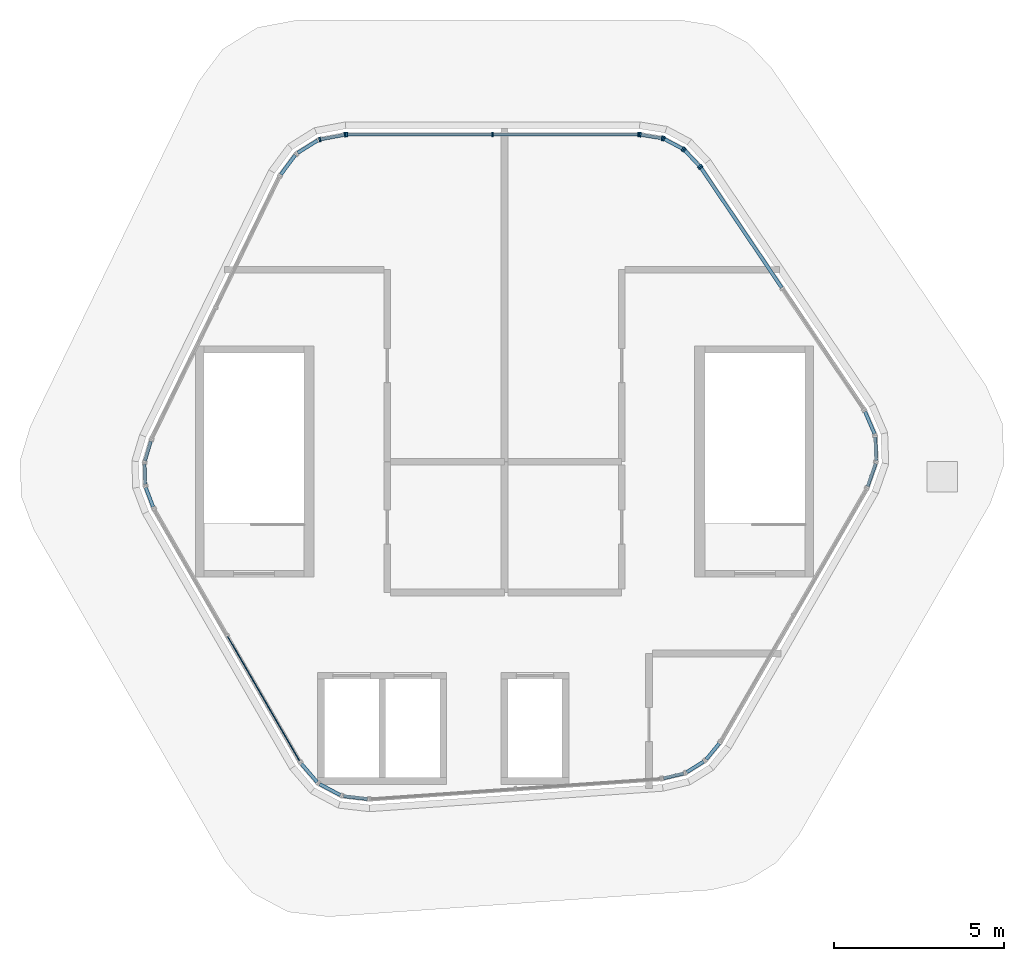
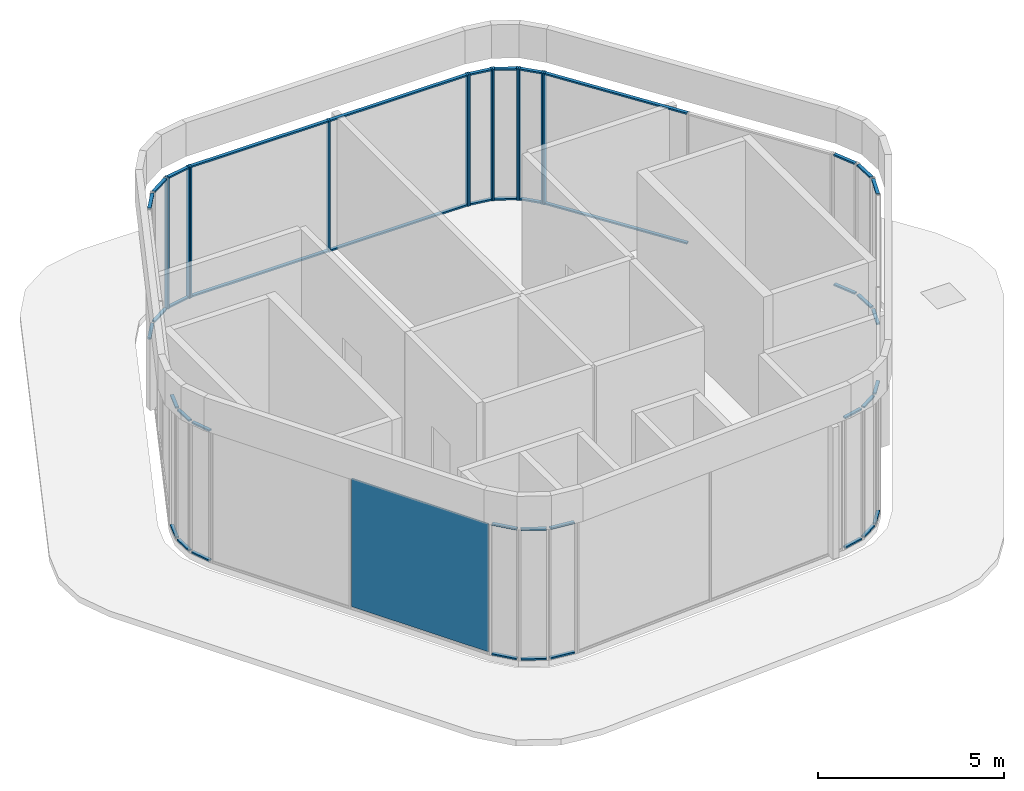
# One storey, part 2 of 6: 54 members, 1 plate, 21 elements without a shape of their own.
"""IFC4 building model written with IfcOpenShell, lengths in metres."""

from ifc_helpers import new_model, si_unit, direction, frame, origin, origin_2d, place, context, subcontext, project, spatial, rectangle, extrude, material, layer, layer_set, material_profile, profile_set, type_object, element, aggregate, save


model = new_model("IFC4")

# Units and contexts
model_context = context("Model", 3, precision=1e-05, world=origin(), true_north=direction((0.0, 1.0)))
body_context = subcontext(model_context, "Body", "Model", "MODEL_VIEW")
ifc_project = project(units=[si_unit("LENGTHUNIT", "METRE"), si_unit("AREAUNIT", "SQUARE_METRE"), si_unit("VOLUMEUNIT", "CUBIC_METRE"), si_unit("PLANEANGLEUNIT", "RADIAN"), si_unit("MASSUNIT", "GRAM", prefix="KILO")], contexts=[model_context])

# Site, building, storey
site_placement = place(None, origin())
site = spatial("IfcSite", under=ifc_project, at=site_placement, CompositionType="ELEMENT")
building_placement = place(site_placement, origin())
building = spatial("IfcBuilding", under=site, at=building_placement, Name="Tarnside Tower", CompositionType="ELEMENT")
storey_placement = place(building_placement, frame((0.0, 0.0, 406.199951171875)))
storey = spatial("IfcBuildingStorey", under=building, at=storey_placement, Name="L96", CompositionType="ELEMENT", Elevation=406.199951171875)

# Curtain wall, members
ifc_material_1 = material(Name="Crown glazing wall", Category="glass")
curtain_wall_type = type_object("IfcCurtainWallType", Name="Crown glazing wall", PredefinedType="NOTDEFINED", material=ifc_material_1)
curtain_wall_1_placement = place(storey_placement, origin())
curtain_wall_1 = element("IfcCurtainWall", 1, at=curtain_wall_1_placement, inside=storey, type_object=curtain_wall_type, Name="Crown glazing L96 00", PredefinedType="NOTDEFINED")
ifc_material_2 = material(Name="Aluminium alloy 6063", Category="aluminium")
ifc_material_profile_1 = material_profile(ifc_material_2, rectangle(XDim=0.139892578125, YDim=0.050048828125, at=origin_2d()), Name="Crown glazing mullion 50 x 140")
ifc_profile_set_1 = profile_set([ifc_material_profile_1], Name="Aluminium alloy 6063")
member_type_1 = type_object("IfcMemberType", Name="Crown glazing mullion 50 x 140", PredefinedType="MULLION", material=ifc_profile_set_1)
member_1_placement = place(storey_placement, frame((-4.640869140625, 9.6298828125, 0.0), z_axis=(0.0, 0.0, 1.0), x_axis=(0.0, 1.0, 0.0)))
member_1 = element("IfcMember", 2, at=member_1_placement, type_object=member_type_1, Name="CW6 mullion 1", PredefinedType="MULLION", context=body_context, shape_type="SweptSolid", body=[
    extrude(rectangle(XDim=0.139892578125, YDim=0.050048828125, at=origin_2d()), origin(), (0.0, 0.0, 1.0), 4.300048828125),
])
member_2_placement = place(storey_placement, frame((-0.34814453125, 9.6298828125, 0.0), z_axis=(0.0, 0.0, 1.0), x_axis=(0.0, 1.0, 0.0)))
member_2 = element("IfcMember", 3, at=member_2_placement, type_object=member_type_1, Name="CW6 mullion 2", PredefinedType="MULLION", context=body_context, shape_type="SweptSolid", body=[
    extrude(rectangle(XDim=0.139892578125, YDim=0.050048828125, at=origin_2d()), origin(), (0.0, 0.0, 1.0), 4.300048828125),
])
member_3_placement = place(storey_placement, frame((3.94482421875, 9.6298828125, 0.0), z_axis=(0.0, 0.0, 1.0), x_axis=(0.0, 1.0, 0.0)))
member_3 = element("IfcMember", 4, at=member_3_placement, type_object=member_type_1, Name="CW6 mullion 3", PredefinedType="MULLION", context=body_context, shape_type="SweptSolid", body=[
    extrude(rectangle(XDim=0.139892578125, YDim=0.050048828125, at=origin_2d()), origin(), (0.0, 0.0, 1.0), 4.300048828125),
])

curtain_wall_2_placement = place(storey_placement, origin())
curtain_wall_2 = element("IfcCurtainWall", 5, at=curtain_wall_2_placement, inside=storey, type_object=curtain_wall_type, Name="Crown glazing L96 01", PredefinedType="NOTDEFINED")
member_4_placement = place(storey_placement, frame((3.99462890625, 9.6259765625, 0.0), z_axis=(0.0, 0.0, 1.0), x_axis=(0.162177922497, 0.986761532213, 0.0)))
member_4 = element("IfcMember", 6, at=member_4_placement, type_object=member_type_1, Name="CW6 mullion 1", PredefinedType="MULLION", context=body_context, shape_type="SweptSolid", body=[
    extrude(rectangle(XDim=0.139892578125, YDim=0.050048828125, at=origin_2d()), origin(), (0.0, 0.0, 1.0), 4.300048828125),
])
member_5_placement = place(storey_placement, frame((4.64404296875, 9.519287109375, 0.0), z_axis=(0.0, 0.0, 1.0), x_axis=(0.162177922497, 0.986761532213, 0.0)))
member_5 = element("IfcMember", 7, at=member_5_placement, type_object=member_type_1, Name="CW6 mullion 2", PredefinedType="MULLION", context=body_context, shape_type="SweptSolid", body=[
    extrude(rectangle(XDim=0.139892578125, YDim=0.050048828125, at=origin_2d()), origin(), (0.0, 0.0, 1.0), 4.300048828125),
])

curtain_wall_3_placement = place(storey_placement, origin())
curtain_wall_3 = element("IfcCurtainWall", 8, at=curtain_wall_3_placement, inside=storey, type_object=curtain_wall_type, Name="Crown glazing L96 02", PredefinedType="NOTDEFINED")
member_6_placement = place(storey_placement, frame((4.690673828125, 9.50341796875, 0.0), z_axis=(0.0, 0.0, 1.0), x_axis=(0.469471563479, 0.88294759249, 0.0)))
member_6 = element("IfcMember", 9, at=member_6_placement, type_object=member_type_1, Name="CW6 mullion 1", PredefinedType="MULLION", context=body_context, shape_type="SweptSolid", body=[
    extrude(rectangle(XDim=0.139892578125, YDim=0.050048828125, at=origin_2d()), origin(), (0.0, 0.0, 1.0), 4.300048828125),
])
member_7_placement = place(storey_placement, frame((5.255615234375, 9.202880859375, 0.0), z_axis=(0.0, 0.0, 1.0), x_axis=(0.469471563479, 0.88294759249, 0.0)))
member_7 = element("IfcMember", 10, at=member_7_placement, type_object=member_type_1, Name="CW6 mullion 2", PredefinedType="MULLION", context=body_context, shape_type="SweptSolid", body=[
    extrude(rectangle(XDim=0.139892578125, YDim=0.050048828125, at=origin_2d()), origin(), (0.0, 0.0, 1.0), 4.300048828125),
])

curtain_wall_4_placement = place(storey_placement, origin())
curtain_wall_4 = element("IfcCurtainWall", 11, at=curtain_wall_4_placement, inside=storey, type_object=curtain_wall_type, Name="Crown glazing L96 03", PredefinedType="NOTDEFINED")
member_8_placement = place(storey_placement, frame((5.294921875, 9.173095703125, 0.0), z_axis=(0.0, 0.0, 1.0), x_axis=(0.727373641182, 0.686241638283, 0.0)))
member_8 = element("IfcMember", 12, at=member_8_placement, type_object=member_type_1, Name="CW6 mullion 1", PredefinedType="MULLION", context=body_context, shape_type="SweptSolid", body=[
    extrude(rectangle(XDim=0.139892578125, YDim=0.050048828125, at=origin_2d()), origin(), (0.0, 0.0, 1.0), 4.300048828125),
])
member_9_placement = place(storey_placement, frame((5.74658203125, 8.6943359375, 0.0), z_axis=(0.0, 0.0, 1.0), x_axis=(0.727373641182, 0.686241638283, 0.0)))
member_9 = element("IfcMember", 13, at=member_9_placement, type_object=member_type_1, Name="CW6 mullion 2", PredefinedType="MULLION", context=body_context, shape_type="SweptSolid", body=[
    extrude(rectangle(XDim=0.139892578125, YDim=0.050048828125, at=origin_2d()), origin(), (0.0, 0.0, 1.0), 4.300048828125),
])

# Curtain wall, member
curtain_wall_5_placement = place(storey_placement, origin())
curtain_wall_5 = element("IfcCurtainWall", 14, at=curtain_wall_5_placement, inside=storey, type_object=curtain_wall_type, Name="Crown glazing L96 04", PredefinedType="NOTDEFINED")
member_10_placement = place(storey_placement, frame((5.777587890625, 8.655517578125, 0.0), z_axis=(0.0, 0.0, 1.0), x_axis=(0.829037572575, 0.559192903442, 0.0)))
member_10 = element("IfcMember", 15, at=member_10_placement, type_object=member_type_1, Name="CW6 mullion 1", PredefinedType="MULLION", context=body_context, shape_type="SweptSolid", body=[
    extrude(rectangle(XDim=0.139892578125, YDim=0.050048828125, at=origin_2d()), origin(), (0.0, 0.0, 1.0), 4.300048828125),
])

# Curtain wall, members
curtain_wall_6_placement = place(storey_placement, origin())
curtain_wall_6 = element("IfcCurtainWall", 16, at=curtain_wall_6_placement, inside=storey, type_object=curtain_wall_type, Name="Crown glazing L96 23", PredefinedType="NOTDEFINED")
member_11_placement = place(storey_placement, frame((-5.435302734375, 9.485107421875, 0.0), z_axis=(0.0, 0.0, 1.0), x_axis=(-0.185094923411, 0.982720646637, 0.0)))
member_11 = element("IfcMember", 17, at=member_11_placement, type_object=member_type_1, Name="CW6 mullion 1", PredefinedType="MULLION", context=body_context, shape_type="SweptSolid", body=[
    extrude(rectangle(XDim=0.139892578125, YDim=0.050048828125, at=origin_2d()), origin(), (0.0, 0.0, 1.0), 4.300048828125),
])
member_12_placement = place(storey_placement, frame((-4.6904296875, 9.62548828125, 0.0), z_axis=(0.0, 0.0, 1.0), x_axis=(-0.185094923411, 0.982720646637, 0.0)))
member_12 = element("IfcMember", 18, at=member_12_placement, type_object=member_type_1, Name="CW6 mullion 2", PredefinedType="MULLION", context=body_context, shape_type="SweptSolid", body=[
    extrude(rectangle(XDim=0.139892578125, YDim=0.050048828125, at=origin_2d()), origin(), (0.0, 0.0, 1.0), 4.300048828125),
])

# Member
ifc_material_profile_2 = material_profile(ifc_material_2, rectangle(XDim=0.10009765625, YDim=0.050048828125, at=origin_2d()), Name="Crown glazing transom 50 x 100")
ifc_profile_set_2 = profile_set([ifc_material_profile_2], Name="Aluminium alloy 6063")
member_type_2 = type_object("IfcMemberType", Name="Crown glazing transom 50 x 100", PredefinedType="USERDEFINED", material=ifc_profile_set_2)
member_13_placement = place(storey_placement, frame((-4.615966796875, 9.6298828125, 0.025146484375), z_axis=(1.0, 0.0, 0.0), x_axis=(0.0, 1.0, 0.0)))
member_13 = element("IfcMember", 19, at=member_13_placement, type_object=member_type_2, Name="CW6 transom 1.1", ObjectType="TRANSOM", PredefinedType="USERDEFINED", context=body_context, shape_type="SweptSolid", body=[
    extrude(rectangle(XDim=0.10009765625, YDim=0.050048828125, at=origin_2d()), origin(), (0.0, 0.0, 1.0), 4.242919921875),
])

member_14_placement = place(storey_placement, frame((-4.615966796875, 9.6298828125, 4.275146484375), z_axis=(1.0, 0.0, 0.0), x_axis=(0.0, 1.0, 0.0)))
member_14 = element("IfcMember", 20, at=member_14_placement, type_object=member_type_2, Name="CW6 transom 1.2", ObjectType="TRANSOM", PredefinedType="USERDEFINED", context=body_context, shape_type="SweptSolid", body=[
    extrude(rectangle(XDim=0.10009765625, YDim=0.050048828125, at=origin_2d()), origin(), (0.0, 0.0, 1.0), 4.242919921875),
])

member_15_placement = place(storey_placement, frame((-0.322998046875, 9.6298828125, 0.025146484375), z_axis=(1.0, 0.0, 0.0), x_axis=(0.0, 1.0, 0.0)))
member_15 = element("IfcMember", 21, at=member_15_placement, type_object=member_type_2, Name="CW6 transom 2.1", ObjectType="TRANSOM", PredefinedType="USERDEFINED", context=body_context, shape_type="SweptSolid", body=[
    extrude(rectangle(XDim=0.10009765625, YDim=0.050048828125, at=origin_2d()), origin(), (0.0, 0.0, 1.0), 4.242919921875),
])

member_16_placement = place(storey_placement, frame((-0.322998046875, 9.6298828125, 4.275146484375), z_axis=(1.0, 0.0, 0.0), x_axis=(0.0, 1.0, 0.0)))
member_16 = element("IfcMember", 22, at=member_16_placement, type_object=member_type_2, Name="CW6 transom 2.2", ObjectType="TRANSOM", PredefinedType="USERDEFINED", context=body_context, shape_type="SweptSolid", body=[
    extrude(rectangle(XDim=0.10009765625, YDim=0.050048828125, at=origin_2d()), origin(), (0.0, 0.0, 1.0), 4.242919921875),
])

aggregate(curtain_wall_1, [member_1, member_2, member_3, member_13, member_14, member_15, member_16])

member_17_placement = place(storey_placement, frame((4.019287109375, 9.621826171875, 0.025146484375), z_axis=(0.986760339083, -0.162185181851, 0.0), x_axis=(0.162185181851, 0.986760339083, 0.0)))
member_17 = element("IfcMember", 23, at=member_17_placement, type_object=member_type_2, Name="CW6 transom 1.1", ObjectType="TRANSOM", PredefinedType="USERDEFINED", context=body_context, shape_type="SweptSolid", body=[
    extrude(rectangle(XDim=0.10009765625, YDim=0.050048828125, at=origin_2d()), origin(), (0.0, 0.0, 1.0), 0.608154296875),
])

member_18_placement = place(storey_placement, frame((4.019287109375, 9.621826171875, 4.275146484375), z_axis=(0.986760339083, -0.162185181851, 0.0), x_axis=(0.162185181851, 0.986760339083, 0.0)))
member_18 = element("IfcMember", 24, at=member_18_placement, type_object=member_type_2, Name="CW6 transom 1.2", ObjectType="TRANSOM", PredefinedType="USERDEFINED", context=body_context, shape_type="SweptSolid", body=[
    extrude(rectangle(XDim=0.10009765625, YDim=0.050048828125, at=origin_2d()), origin(), (0.0, 0.0, 1.0), 0.608154296875),
])

aggregate(curtain_wall_2, [member_4, member_5, member_17, member_18])

member_19_placement = place(storey_placement, frame((4.712646484375, 9.49169921875, 0.025146484375), z_axis=(0.883062136372, -0.469256074342, 0.0), x_axis=(0.469256074342, 0.883062136372, 0.0)))
member_19 = element("IfcMember", 25, at=member_19_placement, type_object=member_type_2, Name="CW6 transom 1.1", ObjectType="TRANSOM", PredefinedType="USERDEFINED", context=body_context, shape_type="SweptSolid", body=[
    extrude(rectangle(XDim=0.10009765625, YDim=0.050048828125, at=origin_2d()), origin(), (0.0, 0.0, 1.0), 0.590087890625),
])

member_20_placement = place(storey_placement, frame((4.712646484375, 9.49169921875, 4.275146484375), z_axis=(0.883062136372, -0.469256074342, 0.0), x_axis=(0.469256074342, 0.883062136372, 0.0)))
member_20 = element("IfcMember", 26, at=member_20_placement, type_object=member_type_2, Name="CW6 transom 1.2", ObjectType="TRANSOM", PredefinedType="USERDEFINED", context=body_context, shape_type="SweptSolid", body=[
    extrude(rectangle(XDim=0.10009765625, YDim=0.050048828125, at=origin_2d()), origin(), (0.0, 0.0, 1.0), 0.590087890625),
])

aggregate(curtain_wall_3, [member_6, member_7, member_19, member_20])

member_21_placement = place(storey_placement, frame((5.31201171875, 9.15478515625, 0.025146484375), z_axis=(0.686541004508, -0.72709108723, 0.0), x_axis=(0.72709108723, 0.686541004508, 0.0)))
member_21 = element("IfcMember", 27, at=member_21_placement, type_object=member_type_2, Name="CW6 transom 1.1", ObjectType="TRANSOM", PredefinedType="USERDEFINED", context=body_context, shape_type="SweptSolid", body=[
    extrude(rectangle(XDim=0.10009765625, YDim=0.050048828125, at=origin_2d()), origin(), (0.0, 0.0, 1.0), 0.608154296875),
])

member_22_placement = place(storey_placement, frame((5.31201171875, 9.15478515625, 4.275146484375), z_axis=(0.686541004508, -0.72709108723, 0.0), x_axis=(0.72709108723, 0.686541004508, 0.0)))
member_22 = element("IfcMember", 28, at=member_22_placement, type_object=member_type_2, Name="CW6 transom 1.2", ObjectType="TRANSOM", PredefinedType="USERDEFINED", context=body_context, shape_type="SweptSolid", body=[
    extrude(rectangle(XDim=0.10009765625, YDim=0.050048828125, at=origin_2d()), origin(), (0.0, 0.0, 1.0), 0.608154296875),
])

aggregate(curtain_wall_4, [member_8, member_9, member_21, member_22])

member_23_placement = place(storey_placement, frame((5.791748046875, 8.634765625, 0.025146484375), z_axis=(0.55918029907, -0.829046074192, 0.0), x_axis=(0.829046074192, 0.55918029907, 0.0)))
member_23 = element("IfcMember", 29, at=member_23_placement, type_object=member_type_2, Name="CW6 transom 1.1", ObjectType="TRANSOM", PredefinedType="USERDEFINED", context=body_context, shape_type="SweptSolid", body=[
    extrude(rectangle(XDim=0.10009765625, YDim=0.050048828125, at=origin_2d()), origin(), (0.0, 0.0, 1.0), 4.242919921875),
])

member_24_placement = place(storey_placement, frame((5.791748046875, 8.634765625, 4.275146484375), z_axis=(0.55918029907, -0.829046074192, 0.0), x_axis=(0.829046074192, 0.55918029907, 0.0)))
member_24 = element("IfcMember", 30, at=member_24_placement, type_object=member_type_2, Name="CW6 transom 1.2", ObjectType="TRANSOM", PredefinedType="USERDEFINED", context=body_context, shape_type="SweptSolid", body=[
    extrude(rectangle(XDim=0.10009765625, YDim=0.050048828125, at=origin_2d()), origin(), (0.0, 0.0, 1.0), 4.242919921875),
])

aggregate(curtain_wall_5, [member_10, member_23, member_24])

# Curtain wall, members
curtain_wall_7_placement = place(storey_placement, origin())
curtain_wall_7 = element("IfcCurtainWall", 31, at=curtain_wall_7_placement, inside=storey, type_object=curtain_wall_type, Name="Crown glazing L96 05", PredefinedType="NOTDEFINED")
member_25_placement = place(storey_placement, frame((10.612548828125, 1.470947265625, 0.025146484375), z_axis=(0.39616520954, -0.918179245436, 0.0), x_axis=(0.918179245436, 0.39616520954, 0.0)))
member_25 = element("IfcMember", 32, at=member_25_placement, type_object=member_type_2, Name="CW6 transom 1.1", ObjectType="TRANSOM", PredefinedType="USERDEFINED", context=body_context, shape_type="SweptSolid", body=[
    extrude(rectangle(XDim=0.10009765625, YDim=0.050048828125, at=origin_2d()), origin(), (0.0, 0.0, 1.0), 0.7080078125),
])
member_26_placement = place(storey_placement, frame((10.612548828125, 1.470947265625, 4.275146484375), z_axis=(0.39616520954, -0.918179245436, 0.0), x_axis=(0.918179245436, 0.39616520954, 0.0)))
member_26 = element("IfcMember", 33, at=member_26_placement, type_object=member_type_2, Name="CW6 transom 1.2", ObjectType="TRANSOM", PredefinedType="USERDEFINED", context=body_context, shape_type="SweptSolid", body=[
    extrude(rectangle(XDim=0.10009765625, YDim=0.050048828125, at=origin_2d()), origin(), (0.0, 0.0, 1.0), 0.7080078125),
])
aggregate(curtain_wall_7, [member_25, member_26])

curtain_wall_8_placement = place(storey_placement, origin())
curtain_wall_8 = element("IfcCurtainWall", 34, at=curtain_wall_8_placement, inside=storey, type_object=curtain_wall_type, Name="Crown glazing L96 06", PredefinedType="NOTDEFINED")
member_27_placement = place(storey_placement, frame((10.91455078125, 0.724853515625, 0.025146484375), z_axis=(0.034829495153, -0.999393269072, 0.0), x_axis=(0.999393269072, 0.034829495153, 0.0)))
member_27 = element("IfcMember", 35, at=member_27_placement, type_object=member_type_2, Name="CW6 transom 1.1", ObjectType="TRANSOM", PredefinedType="USERDEFINED", context=body_context, shape_type="SweptSolid", body=[
    extrude(rectangle(XDim=0.10009765625, YDim=0.050048828125, at=origin_2d()), origin(), (0.0, 0.0, 1.0), 0.68701171875),
])
member_28_placement = place(storey_placement, frame((10.91455078125, 0.724853515625, 4.275146484375), z_axis=(0.034829495153, -0.999393269072, 0.0), x_axis=(0.999393269072, 0.034829495153, 0.0)))
member_28 = element("IfcMember", 36, at=member_28_placement, type_object=member_type_2, Name="CW6 transom 1.2", ObjectType="TRANSOM", PredefinedType="USERDEFINED", context=body_context, shape_type="SweptSolid", body=[
    extrude(rectangle(XDim=0.10009765625, YDim=0.050048828125, at=origin_2d()), origin(), (0.0, 0.0, 1.0), 0.68701171875),
])
aggregate(curtain_wall_8, [member_27, member_28])

curtain_wall_9_placement = place(storey_placement, origin())
curtain_wall_9 = element("IfcCurtainWall", 37, at=curtain_wall_9_placement, inside=storey, type_object=curtain_wall_type, Name="Crown glazing L96 07", PredefinedType="NOTDEFINED")
member_29_placement = place(storey_placement, frame((10.923828125, -0.058837890625, 0.025146484375), z_axis=(-0.330979999513, -0.943637769445, 0.0), x_axis=(0.943637769445, -0.330979999513, 0.0)))
member_29 = element("IfcMember", 38, at=member_29_placement, type_object=member_type_2, Name="CW6 transom 1.1", ObjectType="TRANSOM", PredefinedType="USERDEFINED", context=body_context, shape_type="SweptSolid", body=[
    extrude(rectangle(XDim=0.10009765625, YDim=0.050048828125, at=origin_2d()), origin(), (0.0, 0.0, 1.0), 0.7080078125),
])
member_30_placement = place(storey_placement, frame((10.923828125, -0.058837890625, 4.275146484375), z_axis=(-0.330979999513, -0.943637769445, 0.0), x_axis=(0.943637769445, -0.330979999513, 0.0)))
member_30 = element("IfcMember", 39, at=member_30_placement, type_object=member_type_2, Name="CW6 transom 1.2", ObjectType="TRANSOM", PredefinedType="USERDEFINED", context=body_context, shape_type="SweptSolid", body=[
    extrude(rectangle(XDim=0.10009765625, YDim=0.050048828125, at=origin_2d()), origin(), (0.0, 0.0, 1.0), 0.7080078125),
])
aggregate(curtain_wall_9, [member_29, member_30])

curtain_wall_10_placement = place(storey_placement, origin())
curtain_wall_10 = element("IfcCurtainWall", 40, at=curtain_wall_10_placement, inside=storey, type_object=curtain_wall_type, Name="Crown glazing L96 09", PredefinedType="NOTDEFINED")
member_31_placement = place(storey_placement, frame((6.3232421875, -8.291748046875, 0.025146484375), z_axis=(-0.6340027572, -0.773330785539, 0.0), x_axis=(0.773330785539, -0.6340027572, 0.0)))
member_31 = element("IfcMember", 41, at=member_31_placement, type_object=member_type_2, Name="CW6 transom 1.1", ObjectType="TRANSOM", PredefinedType="USERDEFINED", context=body_context, shape_type="SweptSolid", body=[
    extrude(rectangle(XDim=0.10009765625, YDim=0.050048828125, at=origin_2d()), origin(), (0.0, 0.0, 1.0), 0.608154296875),
])
member_32_placement = place(storey_placement, frame((6.3232421875, -8.291748046875, 4.275146484375), z_axis=(-0.6340027572, -0.773330785539, 0.0), x_axis=(0.773330785539, -0.6340027572, 0.0)))
member_32 = element("IfcMember", 42, at=member_32_placement, type_object=member_type_2, Name="CW6 transom 1.2", ObjectType="TRANSOM", PredefinedType="USERDEFINED", context=body_context, shape_type="SweptSolid", body=[
    extrude(rectangle(XDim=0.10009765625, YDim=0.050048828125, at=origin_2d()), origin(), (0.0, 0.0, 1.0), 0.608154296875),
])
aggregate(curtain_wall_10, [member_31, member_32])

curtain_wall_11_placement = place(storey_placement, origin())
curtain_wall_11 = element("IfcCurtainWall", 43, at=curtain_wall_11_placement, inside=storey, type_object=curtain_wall_type, Name="Crown glazing L96 10", PredefinedType="NOTDEFINED")
member_33_placement = place(storey_placement, frame((5.86376953125, -8.8271484375, 0.025146484375), z_axis=(-0.848044781686, -0.529924568458, 0.0), x_axis=(0.529924568458, -0.848044781686, 0.0)))
member_33 = element("IfcMember", 44, at=member_33_placement, type_object=member_type_2, Name="CW6 transom 1.1", ObjectType="TRANSOM", PredefinedType="USERDEFINED", context=body_context, shape_type="SweptSolid", body=[
    extrude(rectangle(XDim=0.10009765625, YDim=0.050048828125, at=origin_2d()), origin(), (0.0, 0.0, 1.0), 0.590087890625),
])
member_34_placement = place(storey_placement, frame((5.86376953125, -8.8271484375, 4.275146484375), z_axis=(-0.848044781686, -0.529924568458, 0.0), x_axis=(0.529924568458, -0.848044781686, 0.0)))
member_34 = element("IfcMember", 45, at=member_34_placement, type_object=member_type_2, Name="CW6 transom 1.2", ObjectType="TRANSOM", PredefinedType="USERDEFINED", context=body_context, shape_type="SweptSolid", body=[
    extrude(rectangle(XDim=0.10009765625, YDim=0.050048828125, at=origin_2d()), origin(), (0.0, 0.0, 1.0), 0.590087890625),
])
aggregate(curtain_wall_11, [member_33, member_34])

curtain_wall_12_placement = place(storey_placement, origin())
curtain_wall_12 = element("IfcCurtainWall", 46, at=curtain_wall_12_placement, inside=storey, type_object=curtain_wall_type, Name="Crown glazing L96 11", PredefinedType="NOTDEFINED")
member_35_placement = place(storey_placement, frame((5.272216796875, -9.177734375, 0.025146484375), z_axis=(-0.972978288455, -0.230896622312, 0.0), x_axis=(0.230896622312, -0.972978288455, 0.0)))
member_35 = element("IfcMember", 47, at=member_35_placement, type_object=member_type_2, Name="CW6 transom 1.1", ObjectType="TRANSOM", PredefinedType="USERDEFINED", context=body_context, shape_type="SweptSolid", body=[
    extrude(rectangle(XDim=0.10009765625, YDim=0.050048828125, at=origin_2d()), origin(), (0.0, 0.0, 1.0), 0.60791015625),
])
member_36_placement = place(storey_placement, frame((5.272216796875, -9.177734375, 4.275146484375), z_axis=(-0.972978288455, -0.230896622312, 0.0), x_axis=(0.230896622312, -0.972978288455, 0.0)))
member_36 = element("IfcMember", 48, at=member_36_placement, type_object=member_type_2, Name="CW6 transom 1.2", ObjectType="TRANSOM", PredefinedType="USERDEFINED", context=body_context, shape_type="SweptSolid", body=[
    extrude(rectangle(XDim=0.10009765625, YDim=0.050048828125, at=origin_2d()), origin(), (0.0, 0.0, 1.0), 0.60791015625),
])
aggregate(curtain_wall_12, [member_35, member_36])

curtain_wall_13_placement = place(storey_placement, origin())
curtain_wall_13 = element("IfcCurtainWall", 49, at=curtain_wall_13_placement, inside=storey, type_object=curtain_wall_type, Name="Crown glazing L96 13", PredefinedType="NOTDEFINED")
member_37_placement = place(storey_placement, frame((-4.032470703125, -9.92626953125, 0.025146484375), z_axis=(-0.993223386356, 0.116220930973, 0.0), x_axis=(-0.116220930973, -0.993223386356, 0.0)))
member_37 = element("IfcMember", 50, at=member_37_placement, type_object=member_type_2, Name="CW6 transom 1.1", ObjectType="TRANSOM", PredefinedType="USERDEFINED", context=body_context, shape_type="SweptSolid", body=[
    extrude(rectangle(XDim=0.10009765625, YDim=0.050048828125, at=origin_2d()), origin(), (0.0, 0.0, 1.0), 0.7080078125),
])
member_38_placement = place(storey_placement, frame((-4.032470703125, -9.92626953125, 4.275146484375), z_axis=(-0.993223386356, 0.116220930973, 0.0), x_axis=(-0.116220930973, -0.993223386356, 0.0)))
member_38 = element("IfcMember", 51, at=member_38_placement, type_object=member_type_2, Name="CW6 transom 1.2", ObjectType="TRANSOM", PredefinedType="USERDEFINED", context=body_context, shape_type="SweptSolid", body=[
    extrude(rectangle(XDim=0.10009765625, YDim=0.050048828125, at=origin_2d()), origin(), (0.0, 0.0, 1.0), 0.7080078125),
])
aggregate(curtain_wall_13, [member_37, member_38])

curtain_wall_14_placement = place(storey_placement, origin())
curtain_wall_14 = element("IfcCurtainWall", 52, at=curtain_wall_14_placement, inside=storey, type_object=curtain_wall_type, Name="Crown glazing L96 14", PredefinedType="NOTDEFINED")
member_39_placement = place(storey_placement, frame((-4.82958984375, -9.814697265625, 0.025146484375), z_axis=(-0.882991472351, 0.469389028159, 0.0), x_axis=(-0.469389028159, -0.882991472351, 0.0)))
member_39 = element("IfcMember", 53, at=member_39_placement, type_object=member_type_2, Name="CW6 transom 1.1", ObjectType="TRANSOM", PredefinedType="USERDEFINED", context=body_context, shape_type="SweptSolid", body=[
    extrude(rectangle(XDim=0.10009765625, YDim=0.050048828125, at=origin_2d()), origin(), (0.0, 0.0, 1.0), 0.68701171875),
])
member_40_placement = place(storey_placement, frame((-4.82958984375, -9.814697265625, 4.275146484375), z_axis=(-0.882991472351, 0.469389028159, 0.0), x_axis=(-0.469389028159, -0.882991472351, 0.0)))
member_40 = element("IfcMember", 54, at=member_40_placement, type_object=member_type_2, Name="CW6 transom 1.2", ObjectType="TRANSOM", PredefinedType="USERDEFINED", context=body_context, shape_type="SweptSolid", body=[
    extrude(rectangle(XDim=0.10009765625, YDim=0.050048828125, at=origin_2d()), origin(), (0.0, 0.0, 1.0), 0.68701171875),
])
aggregate(curtain_wall_14, [member_39, member_40])

curtain_wall_15_placement = place(storey_placement, origin())
curtain_wall_15 = element("IfcCurtainWall", 55, at=curtain_wall_15_placement, inside=storey, type_object=curtain_wall_type, Name="Crown glazing L96 15", PredefinedType="NOTDEFINED")
member_41_placement = place(storey_placement, frame((-5.512939453125, -9.430908203125, 0.025146484375), z_axis=(-0.651642784517, 0.758525992559, 0.0), x_axis=(-0.758525992559, -0.651642784517, 0.0)))
member_41 = element("IfcMember", 56, at=member_41_placement, type_object=member_type_2, Name="CW6 transom 1.1", ObjectType="TRANSOM", PredefinedType="USERDEFINED", context=body_context, shape_type="SweptSolid", body=[
    extrude(rectangle(XDim=0.10009765625, YDim=0.050048828125, at=origin_2d()), origin(), (0.0, 0.0, 1.0), 0.7080078125),
])
member_42_placement = place(storey_placement, frame((-5.512939453125, -9.430908203125, 4.275146484375), z_axis=(-0.651642784517, 0.758525992559, 0.0), x_axis=(-0.758525992559, -0.651642784517, 0.0)))
member_42 = element("IfcMember", 57, at=member_42_placement, type_object=member_type_2, Name="CW6 transom 1.2", ObjectType="TRANSOM", PredefinedType="USERDEFINED", context=body_context, shape_type="SweptSolid", body=[
    extrude(rectangle(XDim=0.10009765625, YDim=0.050048828125, at=origin_2d()), origin(), (0.0, 0.0, 1.0), 0.7080078125),
])
aggregate(curtain_wall_15, [member_41, member_42])

curtain_wall_16_placement = place(storey_placement, origin())
curtain_wall_16 = element("IfcCurtainWall", 58, at=curtain_wall_16_placement, inside=storey, type_object=curtain_wall_type, Name="Crown glazing L96 17", PredefinedType="NOTDEFINED")
member_43_placement = place(storey_placement, frame((-10.34228515625, -1.330322265625, 0.025146484375), z_axis=(-0.353189823897, 0.935551681253, 0.0), x_axis=(-0.935551681253, -0.353189823897, 0.0)))
member_43 = element("IfcMember", 59, at=member_43_placement, type_object=member_type_2, Name="CW6 transom 1.1", ObjectType="TRANSOM", PredefinedType="USERDEFINED", context=body_context, shape_type="SweptSolid", body=[
    extrude(rectangle(XDim=0.10009765625, YDim=0.050048828125, at=origin_2d()), origin(), (0.0, 0.0, 1.0), 0.6083984375),
])
member_44_placement = place(storey_placement, frame((-10.34228515625, -1.330322265625, 4.275146484375), z_axis=(-0.353189823897, 0.935551681253, 0.0), x_axis=(-0.935551681253, -0.353189823897, 0.0)))
member_44 = element("IfcMember", 60, at=member_44_placement, type_object=member_type_2, Name="CW6 transom 1.2", ObjectType="TRANSOM", PredefinedType="USERDEFINED", context=body_context, shape_type="SweptSolid", body=[
    extrude(rectangle(XDim=0.10009765625, YDim=0.050048828125, at=origin_2d()), origin(), (0.0, 0.0, 1.0), 0.6083984375),
])
aggregate(curtain_wall_16, [member_43, member_44])

curtain_wall_17_placement = place(storey_placement, origin())
curtain_wall_17 = element("IfcCurtainWall", 61, at=curtain_wall_17_placement, inside=storey, type_object=curtain_wall_type, Name="Crown glazing L96 18", PredefinedType="NOTDEFINED")
member_45_placement = place(storey_placement, frame((-10.576416015625, -0.66455078125, 0.025146484375), z_axis=(-0.034761587249, 0.999395633396, 0.0), x_axis=(-0.999395633396, -0.034761587249, 0.0)))
member_45 = element("IfcMember", 62, at=member_45_placement, type_object=member_type_2, Name="CW6 transom 1.1", ObjectType="TRANSOM", PredefinedType="USERDEFINED", context=body_context, shape_type="SweptSolid", body=[
    extrude(rectangle(XDim=0.10009765625, YDim=0.050048828125, at=origin_2d()), origin(), (0.0, 0.0, 1.0), 0.58984375),
])
member_46_placement = place(storey_placement, frame((-10.576416015625, -0.66455078125, 4.275146484375), z_axis=(-0.034761587249, 0.999395633396, 0.0), x_axis=(-0.999395633396, -0.034761587249, 0.0)))
member_46 = element("IfcMember", 63, at=member_46_placement, type_object=member_type_2, Name="CW6 transom 1.2", ObjectType="TRANSOM", PredefinedType="USERDEFINED", context=body_context, shape_type="SweptSolid", body=[
    extrude(rectangle(XDim=0.10009765625, YDim=0.050048828125, at=origin_2d()), origin(), (0.0, 0.0, 1.0), 0.58984375),
])
aggregate(curtain_wall_17, [member_45, member_46])

curtain_wall_18_placement = place(storey_placement, origin())
curtain_wall_18 = element("IfcCurtainWall", 64, at=curtain_wall_18_placement, inside=storey, type_object=curtain_wall_type, Name="Crown glazing L96 19", PredefinedType="NOTDEFINED")
member_47_placement = place(storey_placement, frame((-10.58447265625, 0.02294921875, 0.025146484375), z_axis=(0.287053212868, 0.957914637628, 0.0), x_axis=(-0.957914637628, 0.287053212868, 0.0)))
member_47 = element("IfcMember", 65, at=member_47_placement, type_object=member_type_2, Name="CW6 transom 1.1", ObjectType="TRANSOM", PredefinedType="USERDEFINED", context=body_context, shape_type="SweptSolid", body=[
    extrude(rectangle(XDim=0.10009765625, YDim=0.050048828125, at=origin_2d()), origin(), (0.0, 0.0, 1.0), 0.608154296875),
])
member_48_placement = place(storey_placement, frame((-10.58447265625, 0.02294921875, 4.275146484375), z_axis=(0.287053212868, 0.957914637628, 0.0), x_axis=(-0.957914637628, 0.287053212868, 0.0)))
member_48 = element("IfcMember", 66, at=member_48_placement, type_object=member_type_2, Name="CW6 transom 1.2", ObjectType="TRANSOM", PredefinedType="USERDEFINED", context=body_context, shape_type="SweptSolid", body=[
    extrude(rectangle(XDim=0.10009765625, YDim=0.050048828125, at=origin_2d()), origin(), (0.0, 0.0, 1.0), 0.608154296875),
])
aggregate(curtain_wall_18, [member_47, member_48])

curtain_wall_19_placement = place(storey_placement, origin())
curtain_wall_19 = element("IfcCurtainWall", 67, at=curtain_wall_19_placement, inside=storey, type_object=curtain_wall_type, Name="Crown glazing L96 21", PredefinedType="NOTDEFINED")
member_49_placement = place(storey_placement, frame((-6.580078125, 8.455322265625, 0.025146484375), z_axis=(0.597237828561, 0.802064197017, 0.0), x_axis=(-0.802064197017, 0.597237828561, 0.0)))
member_49 = element("IfcMember", 68, at=member_49_placement, type_object=member_type_2, Name="CW6 transom 1.1", ObjectType="TRANSOM", PredefinedType="USERDEFINED", context=body_context, shape_type="SweptSolid", body=[
    extrude(rectangle(XDim=0.10009765625, YDim=0.050048828125, at=origin_2d()), origin(), (0.0, 0.0, 1.0), 0.7080078125),
])
member_50_placement = place(storey_placement, frame((-6.580078125, 8.455322265625, 4.275146484375), z_axis=(0.597237828561, 0.802064197017, 0.0), x_axis=(-0.802064197017, 0.597237828561, 0.0)))
member_50 = element("IfcMember", 69, at=member_50_placement, type_object=member_type_2, Name="CW6 transom 1.2", ObjectType="TRANSOM", PredefinedType="USERDEFINED", context=body_context, shape_type="SweptSolid", body=[
    extrude(rectangle(XDim=0.10009765625, YDim=0.050048828125, at=origin_2d()), origin(), (0.0, 0.0, 1.0), 0.7080078125),
])
aggregate(curtain_wall_19, [member_49, member_50])

curtain_wall_20_placement = place(storey_placement, origin())
curtain_wall_20 = element("IfcCurtainWall", 70, at=curtain_wall_20_placement, inside=storey, type_object=curtain_wall_type, Name="Crown glazing L96 22", PredefinedType="NOTDEFINED")
member_51_placement = place(storey_placement, frame((-6.0849609375, 9.08984375, 0.025146484375), z_axis=(0.848038236717, 0.529935042307, 0.0), x_axis=(-0.529935042307, 0.848038236717, 0.0)))
member_51 = element("IfcMember", 71, at=member_51_placement, type_object=member_type_2, Name="CW6 transom 1.1", ObjectType="TRANSOM", PredefinedType="USERDEFINED", context=body_context, shape_type="SweptSolid", body=[
    extrude(rectangle(XDim=0.10009765625, YDim=0.050048828125, at=origin_2d()), origin(), (0.0, 0.0, 1.0), 0.68701171875),
])
member_52_placement = place(storey_placement, frame((-6.0849609375, 9.08984375, 4.275146484375), z_axis=(0.848038236717, 0.529935042307, 0.0), x_axis=(-0.529935042307, 0.848038236717, 0.0)))
member_52 = element("IfcMember", 72, at=member_52_placement, type_object=member_type_2, Name="CW6 transom 1.2", ObjectType="TRANSOM", PredefinedType="USERDEFINED", context=body_context, shape_type="SweptSolid", body=[
    extrude(rectangle(XDim=0.10009765625, YDim=0.050048828125, at=origin_2d()), origin(), (0.0, 0.0, 1.0), 0.68701171875),
])
aggregate(curtain_wall_20, [member_51, member_52])

# Member
member_53_placement = place(storey_placement, frame((-5.410888671875, 9.48974609375, 0.025146484375), z_axis=(0.98270785071, 0.18516284766, 0.0), x_axis=(-0.18516284766, 0.98270785071, 0.0)))
member_53 = element("IfcMember", 73, at=member_53_placement, type_object=member_type_2, Name="CW6 transom 1.1", ObjectType="TRANSOM", PredefinedType="USERDEFINED", context=body_context, shape_type="SweptSolid", body=[
    extrude(rectangle(XDim=0.10009765625, YDim=0.050048828125, at=origin_2d()), origin(), (0.0, 0.0, 1.0), 0.7080078125),
])

member_54_placement = place(storey_placement, frame((-5.410888671875, 9.48974609375, 4.275146484375), z_axis=(0.98270785071, 0.18516284766, 0.0), x_axis=(-0.18516284766, 0.98270785071, 0.0)))
member_54 = element("IfcMember", 74, at=member_54_placement, type_object=member_type_2, Name="CW6 transom 1.2", ObjectType="TRANSOM", PredefinedType="USERDEFINED", context=body_context, shape_type="SweptSolid", body=[
    extrude(rectangle(XDim=0.10009765625, YDim=0.050048828125, at=origin_2d()), origin(), (0.0, 0.0, 1.0), 0.7080078125),
])

aggregate(curtain_wall_6, [member_11, member_12, member_53, member_54])

# Curtain wall, plate
curtain_wall_21_placement = place(storey_placement, origin())
curtain_wall_21 = element("IfcCurtainWall", 75, at=curtain_wall_21_placement, inside=storey, type_object=curtain_wall_type, Name="Crown glazing L96 16", PredefinedType="NOTDEFINED")
ifc_material_3 = material(Name="Insulated aluminium panel", Category="aluminium")
ifc_layer = layer(ifc_material_3, 0.028076171875)
ifc_layer_set = layer_set([ifc_layer], Name="Crown glazing spandrel panel 28")
plate_type = type_object("IfcPlateType", Name="Crown glazing spandrel panel 28", PredefinedType="CURTAIN_PANEL", material=ifc_layer_set)
plate_placement = place(storey_placement, frame((-7.092529296875, -6.975341796875, 0.05029296875), z_axis=(0.0, 0.0, 1.0), x_axis=(-0.500000000015, 0.866025403776, 0.0)))
plate = element("IfcPlate", 76, at=plate_placement, type_object=plate_type, Name="CW6 panel 1.1", PredefinedType="CURTAIN_PANEL", context=body_context, shape_type="SweptSolid", body=[
    extrude(rectangle(XDim=4.242919921875, YDim=0.028076171875, at=origin_2d()), origin(), (0.0, 0.0, 1.0), 4.199951171875),
])
aggregate(curtain_wall_21, [plate])

save(model, "model.ifc")
